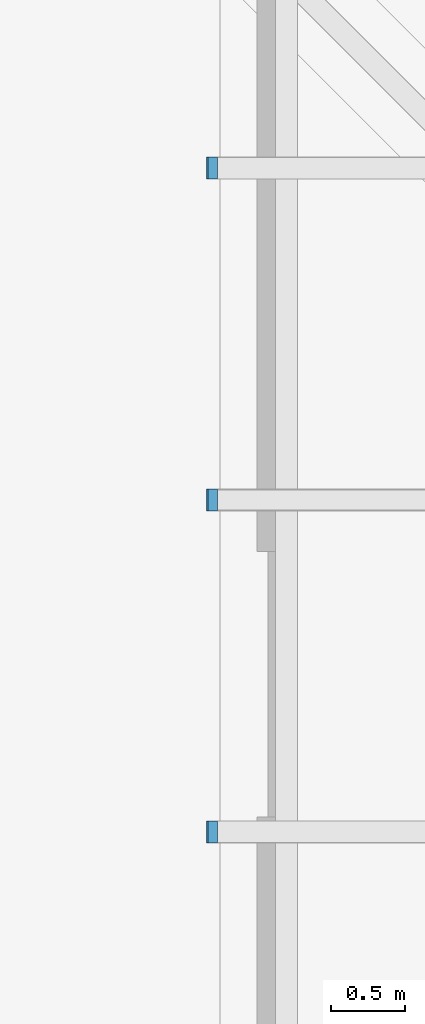
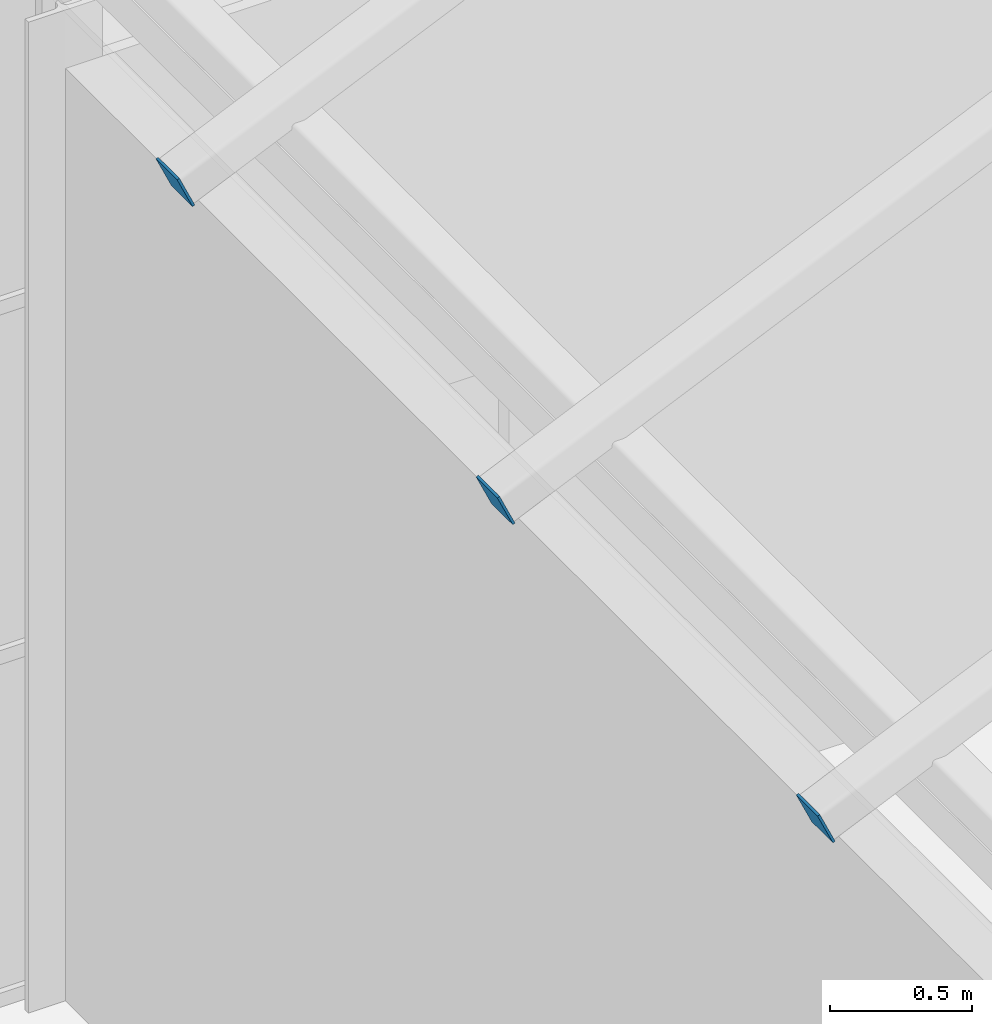
# One storey, part 111 of 149: 3 discrete accessories.
"""IFC4 building model written with IfcOpenShell, lengths in metres."""

from ifc_helpers import new_model, si_unit, direction, frame, origin, origin_2d, place, context, subcontext, project, spatial, rectangle, extrude, material, material_profile, profile_set, type_object, element, save


model = new_model("IFC4")

# Units and contexts
model_context = context("Model", 3, precision=1e-05, world=origin(), true_north=direction((0.0, 1.0)))
body_context = subcontext(model_context, "Body", "Model", "MODEL_VIEW")
ifc_project = project(units=[si_unit("LENGTHUNIT", "METRE"), si_unit("AREAUNIT", "SQUARE_METRE"), si_unit("VOLUMEUNIT", "CUBIC_METRE"), si_unit("PLANEANGLEUNIT", "RADIAN"), si_unit("MASSUNIT", "GRAM", prefix="KILO")], contexts=[model_context])

# Site, building, storey
site_placement = place(None, origin())
site = spatial("IfcSite", under=ifc_project, at=site_placement, CompositionType="ELEMENT")
building_placement = place(site_placement, origin())
building = spatial("IfcBuilding", under=site, at=building_placement, Name="Kallimachos Central Library", CompositionType="ELEMENT")
storey_placement = place(building_placement, frame((0.0, 0.0, 9.89990234375)))
storey = spatial("IfcBuildingStorey", under=building, at=storey_placement, Name="L02", CompositionType="ELEMENT", Elevation=9.89990234375)

# Discrete accessories
ifc_material = material(Name="Steel S355J2", Category="steel")
ifc_material_profile = material_profile(ifc_material, rectangle(XDim=0.14990234375, YDim=0.14990234375, at=origin_2d()), Name="End cap plate 10, 150x150")
ifc_profile_set = profile_set([ifc_material_profile], Name="Steel S355J2")
discrete_accessory_type = type_object("IfcDiscreteAccessoryType", Name="End cap plate 10, 150x150", PredefinedType="BRACKET", material=ifc_profile_set)
for number, where, z_axis, x_axis, name in (
    (1, (101.19091796875, 51.0, 4.405517578125), (0.908676843963, 0.0, 0.417500171551), (0.0, 1.0, 0.0), "End cap plate"),
    (2, (101.19091796875, 53.25, 4.405517578125), (0.908676843963, 0.0, 0.417500171551), (0.0, 1.0, 0.0), "End cap plate"),
    (3, (101.19091796875, 55.5, 4.405517578125), (0.908676843963, 0.0, 0.417500171551), (0.0, 1.0, 0.0), "End cap plate"),
):
    element("IfcDiscreteAccessory", number, at=place(storey_placement, frame(where, z_axis=z_axis, x_axis=x_axis)), inside=storey, type_object=discrete_accessory_type, Name=name, PredefinedType="BRACKET", context=body_context, shape_type="SweptSolid", body=[
        extrude(rectangle(XDim=0.14990234375, YDim=0.14990234375, at=origin_2d()), origin(), (0.0, 0.0, 1.0), 0.010009765625),
    ])

save(model, "model.ifc")
